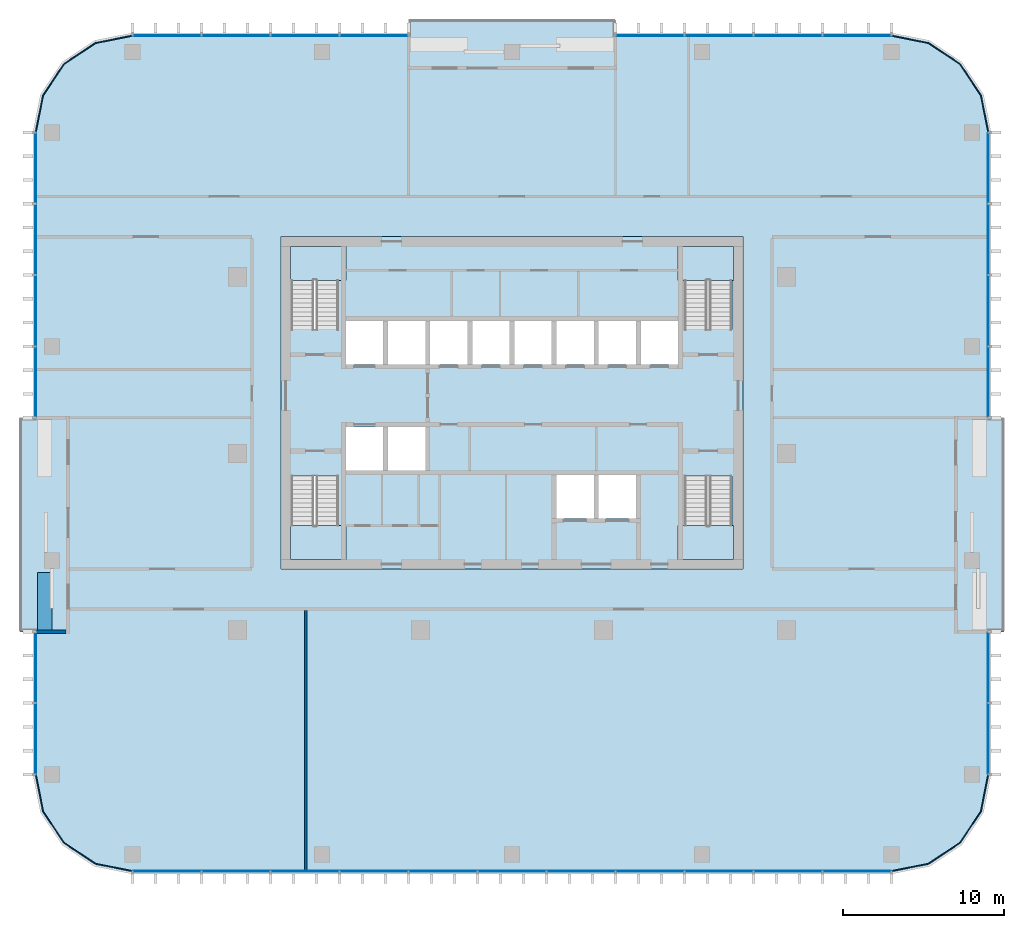
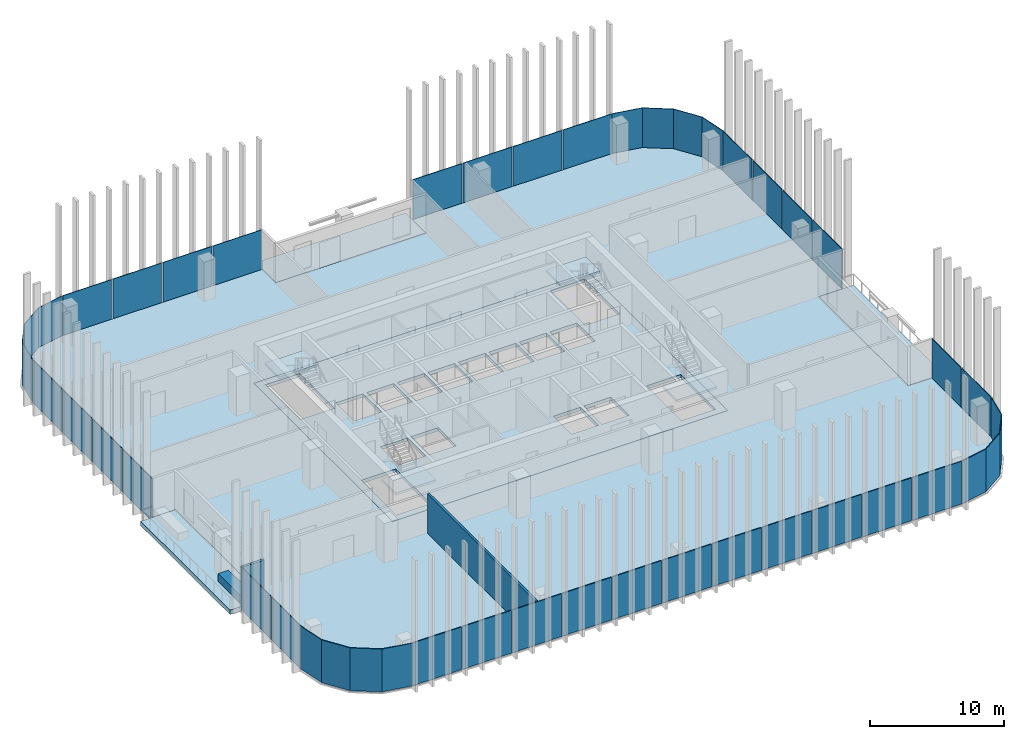
# One storey, part 6 of 16: 35 plates, 9 slabs, 3 walls, 15 elements without a shape of their own.
"""IFC4 building model written with IfcOpenShell, lengths in metres."""

from ifc_helpers import new_model, si_unit, direction, frame, frame_2d, origin, origin_2d, place, context, subcontext, project, spatial, polyline, rectangle, outline, extrude, material, layer, layer_set, type_object, element, aggregate, save


model = new_model("IFC4")

# Units and contexts
model_context = context("Model", 3, precision=1e-05, world=origin(), true_north=direction((0.0, 1.0)))
body_context = subcontext(model_context, "Body", "Model", "MODEL_VIEW")
ifc_project = project(units=[si_unit("LENGTHUNIT", "METRE"), si_unit("AREAUNIT", "SQUARE_METRE"), si_unit("VOLUMEUNIT", "CUBIC_METRE"), si_unit("PLANEANGLEUNIT", "RADIAN"), si_unit("MASSUNIT", "GRAM", prefix="KILO")], contexts=[model_context])

# Site, building, storey
site_placement = place(None, origin())
site = spatial("IfcSite", under=ifc_project, at=site_placement, CompositionType="ELEMENT")
building_placement = place(site_placement, origin())
building = spatial("IfcBuilding", under=site, at=building_placement, Name="Mopane Tessera Tower", CompositionType="ELEMENT")
storey_placement = place(building_placement, frame((0.0, 0.0, 279.39990234375)))
storey = spatial("IfcBuildingStorey", under=building, at=storey_placement, Name="L60", CompositionType="ELEMENT", Elevation=279.39990234375)

# Slab
ifc_material_1 = material(Name="Concrete C40/50", Category="concrete")
ifc_layer_1 = layer(ifc_material_1, 0.300048828125)
ifc_layer_set_1 = layer_set([ifc_layer_1], Name="Concrete C40/50")
slab_type_1 = type_object("IfcSlabType", Name="Core floor slab 300 mm", PredefinedType="FLOOR", material=ifc_layer_set_1)
slab_1_placement = place(storey_placement, frame((0.0, 0.0, -0.2998046875)))
element("IfcSlab", 1, at=slab_1_placement, inside=storey, type_object=slab_type_1, Name="L60 core floor slab", PredefinedType="FLOOR", context=body_context, shape_type="SweptSolid", body=[
    extrude(outline(polyline([(-14.39990234375, -7.199951171875), (14.39990234375, -7.199951171875), (14.39990234375, 13.5), (-14.39990234375, 13.5), (-14.39990234375, -7.199951171875)]), holes=[polyline([(-10.35009765625, -1.050048828125), (-8.02490234375, -1.050048828125), (-8.02490234375, 1.64990234375), (-10.35009765625, 1.64990234375), (-10.35009765625, -1.050048828125)]), polyline([(-7.72509765625, -1.050048828125), (-5.39990234375, -1.050048828125), (-5.39990234375, 1.64990234375), (-7.72509765625, 1.64990234375), (-7.72509765625, -1.050048828125)]), polyline([(-10.35009765625, 5.550048828125), (-8.02490234375, 5.550048828125), (-8.02490234375, 8.25), (-10.35009765625, 8.25), (-10.35009765625, 5.550048828125)]), polyline([(-7.72509765625, 5.550048828125), (-5.39990234375, 5.550048828125), (-5.39990234375, 8.25), (-7.72509765625, 8.25), (-7.72509765625, 5.550048828125)]), polyline([(-5.10009765625, 5.550048828125), (-2.77490234375, 5.550048828125), (-2.77490234375, 8.25), (-5.10009765625, 8.25), (-5.10009765625, 5.550048828125)]), polyline([(-2.47509765625, 5.550048828125), (-0.14990234375, 5.550048828125), (-0.14990234375, 8.25), (-2.47509765625, 8.25), (-2.47509765625, 5.550048828125)]), polyline([(0.14990234375, 5.550048828125), (2.47509765625, 5.550048828125), (2.47509765625, 8.25), (0.14990234375, 8.25), (0.14990234375, 5.550048828125)]), polyline([(2.77490234375, 5.550048828125), (5.10009765625, 5.550048828125), (5.10009765625, 8.25), (2.77490234375, 8.25), (2.77490234375, 5.550048828125)]), polyline([(5.39990234375, 5.550048828125), (7.72509765625, 5.550048828125), (7.72509765625, 8.25), (5.39990234375, 8.25), (5.39990234375, 5.550048828125)]), polyline([(8.02490234375, 5.550048828125), (10.35009765625, 5.550048828125), (10.35009765625, 8.25), (8.02490234375, 8.25), (8.02490234375, 5.550048828125)]), polyline([(2.77490234375, -4.050048828125), (5.10009765625, -4.050048828125), (5.10009765625, -1.35009765625), (2.77490234375, -1.35009765625), (2.77490234375, -4.050048828125)]), polyline([(5.39990234375, -4.050048828125), (7.72509765625, -4.050048828125), (7.72509765625, -1.35009765625), (5.39990234375, -1.35009765625), (5.39990234375, -4.050048828125)]), polyline([(-13.75, -1.405029296875), (-13.75, -6.60009765625), (-10.800048828125, -6.60009765625), (-10.800048828125, -1.405029296875), (-13.75, -1.405029296875)]), polyline([(-10.800048828125, 7.705078125), (-10.800048828125, 12.89990234375), (-13.75, 12.89990234375), (-13.75, 7.705078125), (-10.800048828125, 7.705078125)]), polyline([(10.75, -1.405029296875), (10.75, -6.60009765625), (13.699951171875, -6.60009765625), (13.699951171875, -1.405029296875), (10.75, -1.405029296875)]), polyline([(13.699951171875, 7.705078125), (13.699951171875, 12.89990234375), (10.75, 12.89990234375), (10.75, 7.705078125), (13.699951171875, 7.705078125)])]), origin(), (0.0, 0.0, 1.0), 0.2998046875),
])

# Stair, slab
ifc_material_2 = material(Name="Concrete C50/60", Category="concrete")
stair_type = type_object("IfcStairType", Name="Escape stair 1400 mm, riser 167 mm", PredefinedType="HALF_TURN_STAIR", material=ifc_material_2)
stair_1_placement = place(storey_placement, origin())
stair_1 = element("IfcStair", 2, at=stair_1_placement, inside=storey, type_object=stair_type, Name="L60 Escape stair south-west", PredefinedType="HALF_TURN_STAIR")
ifc_material_3 = material(Name="Concrete C50/60", Category="concrete")
ifc_layer_2 = layer(ifc_material_3, 0.199951171875)
ifc_layer_set_2 = layer_set([ifc_layer_2], Name="Concrete C50/60")
slab_type_2 = type_object("IfcSlabType", Name="Escape stair landing 200 mm", PredefinedType="LANDING", material=ifc_layer_set_2)
slab_2_placement = place(storey_placement, frame((0.0, 0.0, 1.800048828125)))
slab_2 = element("IfcSlab", 3, at=slab_2_placement, type_object=slab_type_2, Name="ST1 landing 1", PredefinedType="LANDING", context=body_context, shape_type="SweptSolid", body=[
    extrude(outline(polyline([(-13.800048828125, -4.47998046875), (-13.800048828125, -6.60009765625), (-10.35009765625, -6.60009765625), (-10.35009765625, -4.47998046875), (-13.800048828125, -4.47998046875)])), origin(), (0.0, 0.0, 1.0), 0.199951171875),
])
aggregate(stair_1, [slab_2])

stair_2_placement = place(storey_placement, origin())
stair_2 = element("IfcStair", 4, at=stair_2_placement, inside=storey, type_object=stair_type, Name="L60 Escape stair north-west", PredefinedType="HALF_TURN_STAIR")
slab_3_placement = place(storey_placement, frame((0.0, 0.0, 1.800048828125)))
slab_3 = element("IfcSlab", 5, at=slab_3_placement, type_object=slab_type_2, Name="ST2 landing 1", PredefinedType="LANDING", context=body_context, shape_type="SweptSolid", body=[
    extrude(outline(polyline([(-10.35009765625, 10.780029296875), (-10.35009765625, 12.89990234375), (-13.800048828125, 12.89990234375), (-13.800048828125, 10.780029296875), (-10.35009765625, 10.780029296875)])), origin(), (0.0, 0.0, 1.0), 0.199951171875),
])
aggregate(stair_2, [slab_3])

stair_3_placement = place(storey_placement, origin())
stair_3 = element("IfcStair", 6, at=stair_3_placement, inside=storey, type_object=stair_type, Name="L60 Escape stair south-east", PredefinedType="HALF_TURN_STAIR")
slab_4_placement = place(storey_placement, frame((0.0, 0.0, 1.800048828125)))
slab_4 = element("IfcSlab", 7, at=slab_4_placement, type_object=slab_type_2, Name="ST3 landing 1", PredefinedType="LANDING", context=body_context, shape_type="SweptSolid", body=[
    extrude(outline(polyline([(10.35009765625, -4.47998046875), (10.35009765625, -6.60009765625), (13.800048828125, -6.60009765625), (13.800048828125, -4.47998046875), (10.35009765625, -4.47998046875)])), origin(), (0.0, 0.0, 1.0), 0.199951171875),
])
aggregate(stair_3, [slab_4])

stair_4_placement = place(storey_placement, origin())
stair_4 = element("IfcStair", 8, at=stair_4_placement, inside=storey, type_object=stair_type, Name="L60 Escape stair north-east", PredefinedType="HALF_TURN_STAIR")
slab_5_placement = place(storey_placement, frame((0.0, 0.0, 1.800048828125)))
slab_5 = element("IfcSlab", 9, at=slab_5_placement, type_object=slab_type_2, Name="ST4 landing 1", PredefinedType="LANDING", context=body_context, shape_type="SweptSolid", body=[
    extrude(outline(polyline([(13.800048828125, 10.780029296875), (13.800048828125, 12.89990234375), (10.35009765625, 12.89990234375), (10.35009765625, 10.780029296875), (13.800048828125, 10.780029296875)])), origin(), (0.0, 0.0, 1.0), 0.199951171875),
])
aggregate(stair_4, [slab_5])

# Slabs
ifc_material_4 = material(Name="Concrete C40/50", Category="concrete")
ifc_layer_3 = layer(ifc_material_4, 0.39990234375)
ifc_layer_set_3 = layer_set([ifc_layer_3], Name="Concrete C40/50")
slab_type_3 = type_object("IfcSlabType", Name="Planted terrace slab 400 mm", PredefinedType="FLOOR", material=ifc_layer_set_3)
slab_6_placement = place(storey_placement, frame((0.0, 0.0, -0.39990234375)))
element("IfcSlab", 10, at=slab_6_placement, inside=storey, type_object=slab_type_3, Name="Terrace slab N1 L60", PredefinedType="FLOOR", context=body_context, shape_type="SweptSolid", body=[
    extrude(outline(polyline([(30.64990234375, 2.22216796875), (27.64990234375, 2.22216796875), (27.64990234375, -11.111083984375), (30.64990234375, -11.111083984375), (30.64990234375, 2.22216796875)])), origin(), (0.0, 0.0, 1.0), 0.39990234375),
])
slab_7_placement = place(storey_placement, frame((0.0, 0.0, -0.39990234375)))
element("IfcSlab", 11, at=slab_7_placement, inside=storey, type_object=slab_type_3, Name="Terrace slab N2 L60", PredefinedType="FLOOR", context=body_context, shape_type="SweptSolid", body=[
    extrude(outline(polyline([(-6.449951171875, 27.0), (-6.449951171875, 24.0), (6.449951171875, 24.0), (6.449951171875, 27.0), (-6.449951171875, 27.0)])), origin(), (0.0, 0.0, 1.0), 0.39990234375),
])
slab_8_placement = place(storey_placement, frame((0.0, 0.0, -0.39990234375)))
element("IfcSlab", 12, at=slab_8_placement, inside=storey, type_object=slab_type_3, Name="Terrace slab N3 L60", PredefinedType="FLOOR", context=body_context, shape_type="SweptSolid", body=[
    extrude(outline(polyline([(-30.64990234375, -11.111083984375), (-27.64990234375, -11.111083984375), (-27.64990234375, 2.22216796875), (-30.64990234375, 2.22216796875), (-30.64990234375, -11.111083984375)])), origin(), (0.0, 0.0, 1.0), 0.39990234375),
])
ifc_material_5 = material(Name="Concrete C40/50", Category="concrete")
ifc_layer_4 = layer(ifc_material_5, 0.39990234375)
ifc_layer_set_4 = layer_set([ifc_layer_4], Name="Concrete C40/50")
slab_type_4 = type_object("IfcSlabType", Name="Post-tensioned flat plate 400 mm", PredefinedType="FLOOR", material=ifc_layer_set_4)
slab_9_placement = place(storey_placement, frame((0.0, 0.0, -0.39990234375)))
element("IfcSlab", 13, at=slab_9_placement, inside=storey, type_object=slab_type_4, Name="Floor slab L60", PredefinedType="FLOOR", context=body_context, shape_type="SweptSolid", body=[
    extrude(outline(polyline([(29.64990234375, -20.0), (29.64990234375, -11.111083984375), (27.64990234375, -11.111083984375), (27.64990234375, 2.22216796875), (29.64990234375, 2.22216796875), (29.64990234375, 20.0), (29.193359375, 22.296142578125), (27.892578125, 24.24267578125), (25.946044921875, 25.543212890625), (23.64990234375, 26.0), (6.449951171875, 26.0), (6.449951171875, 24.0), (-6.449951171875, 24.0), (-6.449951171875, 26.0), (-23.64990234375, 26.0), (-25.946044921875, 25.543212890625), (-27.892578125, 24.24267578125), (-29.193359375, 22.296142578125), (-29.64990234375, 20.0), (-29.64990234375, 2.22216796875), (-27.64990234375, 2.22216796875), (-27.64990234375, -11.111083984375), (-29.64990234375, -11.111083984375), (-29.64990234375, -20.0), (-29.193359375, -22.296142578125), (-27.892578125, -24.24267578125), (-25.946044921875, -25.543212890625), (-23.64990234375, -26.0), (23.64990234375, -26.0), (25.946044921875, -25.543212890625), (27.892578125, -24.24267578125), (29.193359375, -22.296142578125), (29.64990234375, -20.0)]), holes=[polyline([(14.39990234375, -7.199951171875), (-14.39990234375, -7.199951171875), (-14.39990234375, 13.5), (14.39990234375, 13.5), (14.39990234375, -7.199951171875)])]), origin(), (0.0, 0.0, 1.0), 0.39990234375),
])

# Curtain wall, plates
ifc_material_6 = material(Name="Aluminium frame", Category="aluminium")
curtain_wall_type = type_object("IfcCurtainWallType", Name="Unitised curtain wall", PredefinedType="NOTDEFINED", material=ifc_material_6)
curtain_wall_1_placement = place(storey_placement, origin())
curtain_wall_1 = element("IfcCurtainWall", 14, at=curtain_wall_1_placement, inside=storey, type_object=curtain_wall_type, Name="e:cw:L60:S:0", PredefinedType="NOTDEFINED")
ifc_material_7 = material(Name="Clear laminated glass", Category="glass")
ifc_layer_5 = layer(ifc_material_7, 0.06005859375)
ifc_layer_set_5 = layer_set([ifc_layer_5], Name="Clear laminated glass")
plate_type = type_object("IfcPlateType", Name="Unitised glazed unit", PredefinedType="CURTAIN_PANEL", material=ifc_layer_set_5)
plate_1_placement = place(storey_placement, frame((-21.5, -26.030029296875, -0.27978515625), z_axis=(0.0, 0.0, 1.0), x_axis=(1.0, 0.0, 0.0)))
plate_1 = element("IfcPlate", 15, at=plate_1_placement, type_object=plate_type, Name="e:cw:L60:S:0:pn0", PredefinedType="CURTAIN_PANEL", context=body_context, shape_type="SweptSolid", body=[
    extrude(rectangle(XDim=4.199951171875, YDim=0.06005859375, at=origin_2d()), origin(), (0.0, 0.0, 1.0), 3.8798828125),
])
plate_2_placement = place(storey_placement, frame((-17.199951171875, -26.030029296875, -0.27978515625), z_axis=(0.0, 0.0, 1.0), x_axis=(1.0, 0.0, 0.0)))
plate_2 = element("IfcPlate", 16, at=plate_2_placement, type_object=plate_type, Name="e:cw:L60:S:0:pn1", PredefinedType="CURTAIN_PANEL", context=body_context, shape_type="SweptSolid", body=[
    extrude(rectangle(XDim=4.199951171875, YDim=0.06005859375, at=origin_2d()), origin(), (0.0, 0.0, 1.0), 3.8798828125),
])
plate_3_placement = place(storey_placement, frame((-12.89990234375, -26.030029296875, -0.27978515625), z_axis=(0.0, 0.0, 1.0), x_axis=(1.0, 0.0, 0.0)))
plate_3 = element("IfcPlate", 17, at=plate_3_placement, type_object=plate_type, Name="e:cw:L60:S:0:pn2", PredefinedType="CURTAIN_PANEL", context=body_context, shape_type="SweptSolid", body=[
    extrude(rectangle(XDim=4.199951171875, YDim=0.06005859375, at=origin_2d()), origin(), (0.0, 0.0, 1.0), 3.8798828125),
])
plate_4_placement = place(storey_placement, frame((-8.60009765625, -26.030029296875, -0.27978515625), z_axis=(0.0, 0.0, 1.0), x_axis=(1.0, 0.0, 0.0)))
plate_4 = element("IfcPlate", 18, at=plate_4_placement, type_object=plate_type, Name="e:cw:L60:S:0:pn3", PredefinedType="CURTAIN_PANEL", context=body_context, shape_type="SweptSolid", body=[
    extrude(rectangle(XDim=4.199951171875, YDim=0.06005859375, at=origin_2d()), origin(), (0.0, 0.0, 1.0), 3.8798828125),
])
plate_5_placement = place(storey_placement, frame((-4.300048828125, -26.030029296875, -0.27978515625), z_axis=(0.0, 0.0, 1.0), x_axis=(1.0, 0.0, 0.0)))
plate_5 = element("IfcPlate", 19, at=plate_5_placement, type_object=plate_type, Name="e:cw:L60:S:0:pn4", PredefinedType="CURTAIN_PANEL", context=body_context, shape_type="SweptSolid", body=[
    extrude(rectangle(XDim=4.199951171875, YDim=0.06005859375, at=origin_2d()), origin(), (0.0, 0.0, 1.0), 3.8798828125),
])
plate_6_placement = place(storey_placement, frame((0.0, -26.030029296875, -0.27978515625), z_axis=(0.0, 0.0, 1.0), x_axis=(1.0, 0.0, 0.0)))
plate_6 = element("IfcPlate", 20, at=plate_6_placement, type_object=plate_type, Name="e:cw:L60:S:0:pn5", PredefinedType="CURTAIN_PANEL", context=body_context, shape_type="SweptSolid", body=[
    extrude(rectangle(XDim=4.199951171875, YDim=0.06005859375, at=origin_2d()), origin(), (0.0, 0.0, 1.0), 3.8798828125),
])
plate_7_placement = place(storey_placement, frame((4.300048828125, -26.030029296875, -0.27978515625), z_axis=(0.0, 0.0, 1.0), x_axis=(1.0, 0.0, 0.0)))
plate_7 = element("IfcPlate", 21, at=plate_7_placement, type_object=plate_type, Name="e:cw:L60:S:0:pn6", PredefinedType="CURTAIN_PANEL", context=body_context, shape_type="SweptSolid", body=[
    extrude(rectangle(XDim=4.199951171875, YDim=0.06005859375, at=origin_2d()), origin(), (0.0, 0.0, 1.0), 3.8798828125),
])
plate_8_placement = place(storey_placement, frame((8.60009765625, -26.030029296875, -0.27978515625), z_axis=(0.0, 0.0, 1.0), x_axis=(1.0, 0.0, 0.0)))
plate_8 = element("IfcPlate", 22, at=plate_8_placement, type_object=plate_type, Name="e:cw:L60:S:0:pn7", PredefinedType="CURTAIN_PANEL", context=body_context, shape_type="SweptSolid", body=[
    extrude(rectangle(XDim=4.199951171875, YDim=0.06005859375, at=origin_2d()), origin(), (0.0, 0.0, 1.0), 3.8798828125),
])
plate_9_placement = place(storey_placement, frame((12.89990234375, -26.030029296875, -0.27978515625), z_axis=(0.0, 0.0, 1.0), x_axis=(1.0, 0.0, 0.0)))
plate_9 = element("IfcPlate", 23, at=plate_9_placement, type_object=plate_type, Name="e:cw:L60:S:0:pn8", PredefinedType="CURTAIN_PANEL", context=body_context, shape_type="SweptSolid", body=[
    extrude(rectangle(XDim=4.199951171875, YDim=0.06005859375, at=origin_2d()), origin(), (0.0, 0.0, 1.0), 3.8798828125),
])
plate_10_placement = place(storey_placement, frame((17.199951171875, -26.030029296875, -0.27978515625), z_axis=(0.0, 0.0, 1.0), x_axis=(1.0, 0.0, 0.0)))
plate_10 = element("IfcPlate", 24, at=plate_10_placement, type_object=plate_type, Name="e:cw:L60:S:0:pn9", PredefinedType="CURTAIN_PANEL", context=body_context, shape_type="SweptSolid", body=[
    extrude(rectangle(XDim=4.199951171875, YDim=0.06005859375, at=origin_2d()), origin(), (0.0, 0.0, 1.0), 3.8798828125),
])
plate_11_placement = place(storey_placement, frame((21.5, -26.030029296875, -0.27978515625), z_axis=(0.0, 0.0, 1.0), x_axis=(1.0, 0.0, 0.0)))
plate_11 = element("IfcPlate", 25, at=plate_11_placement, type_object=plate_type, Name="e:cw:L60:S:0:pn10", PredefinedType="CURTAIN_PANEL", context=body_context, shape_type="SweptSolid", body=[
    extrude(rectangle(XDim=4.199951171875, YDim=0.06005859375, at=origin_2d()), origin(), (0.0, 0.0, 1.0), 3.8798828125),
])
aggregate(curtain_wall_1, [plate_1, plate_2, plate_3, plate_4, plate_5, plate_6, plate_7, plate_8, plate_9, plate_10, plate_11])

# Curtain wall, plate
curtain_wall_2_placement = place(storey_placement, origin())
curtain_wall_2 = element("IfcCurtainWall", 26, at=curtain_wall_2_placement, inside=storey, type_object=curtain_wall_type, Name="e:cw:L60:CS", PredefinedType="NOTDEFINED")
plate_12_placement = place(storey_placement, frame((0.0, 0.0, -0.27978515625)))
plate_12 = element("IfcPlate", 27, at=plate_12_placement, type_object=plate_type, Name="e:cw:L60:CS:pn", PredefinedType="CURTAIN_PANEL", context=body_context, shape_type="SweptSolid", body=[
    extrude(outline(polyline([(23.64990234375, -26.0), (25.946044921875, -25.543212890625), (27.892578125, -24.24267578125), (29.193359375, -22.296142578125), (29.64990234375, -20.0), (29.7099609375, -20.0), (29.248779296875, -22.319091796875), (27.93505859375, -24.28515625), (25.968994140625, -25.5986328125), (23.64990234375, -26.06005859375), (23.64990234375, -26.0)])), origin(), (0.0, 0.0, 1.0), 3.8798828125),
])
aggregate(curtain_wall_2, [plate_12])

# Curtain wall, plates
curtain_wall_3_placement = place(storey_placement, origin())
curtain_wall_3 = element("IfcCurtainWall", 28, at=curtain_wall_3_placement, inside=storey, type_object=curtain_wall_type, Name="e:cw:L60:E:0", PredefinedType="NOTDEFINED")
plate_13_placement = place(storey_placement, frame((29.679931640625, -17.77783203125, -0.27978515625), z_axis=(0.0, 0.0, 1.0), x_axis=(0.0, 1.0, 0.0)))
plate_13 = element("IfcPlate", 29, at=plate_13_placement, type_object=plate_type, Name="e:cw:L60:E:0:pn0", PredefinedType="CURTAIN_PANEL", context=body_context, shape_type="SweptSolid", body=[
    extrude(rectangle(XDim=4.344482421875, YDim=0.06005859375, at=origin_2d()), origin(), (0.0, 0.0, 1.0), 3.8798828125),
])
plate_14_placement = place(storey_placement, frame((29.679931640625, -13.333251953125, -0.27978515625), z_axis=(0.0, 0.0, 1.0), x_axis=(0.0, 1.0, 0.0)))
plate_14 = element("IfcPlate", 30, at=plate_14_placement, type_object=plate_type, Name="e:cw:L60:E:0:pn1", PredefinedType="CURTAIN_PANEL", context=body_context, shape_type="SweptSolid", body=[
    extrude(rectangle(XDim=4.344482421875, YDim=0.06005859375, at=origin_2d()), origin(), (0.0, 0.0, 1.0), 3.8798828125),
])
aggregate(curtain_wall_3, [plate_13, plate_14])

curtain_wall_4_placement = place(storey_placement, origin())
curtain_wall_4 = element("IfcCurtainWall", 31, at=curtain_wall_4_placement, inside=storey, type_object=curtain_wall_type, Name="e:cw:L60:E:5", PredefinedType="NOTDEFINED")
plate_15_placement = place(storey_placement, frame((29.679931640625, 4.4443359375, -0.27978515625), z_axis=(0.0, 0.0, 1.0), x_axis=(0.0, 1.0, 0.0)))
plate_15 = element("IfcPlate", 32, at=plate_15_placement, type_object=plate_type, Name="e:cw:L60:E:5:pn5", PredefinedType="CURTAIN_PANEL", context=body_context, shape_type="SweptSolid", body=[
    extrude(rectangle(XDim=4.344482421875, YDim=0.06005859375, at=origin_2d()), origin(), (0.0, 0.0, 1.0), 3.8798828125),
])
plate_16_placement = place(storey_placement, frame((29.679931640625, 8.888916015625, -0.27978515625), z_axis=(0.0, 0.0, 1.0), x_axis=(0.0, 1.0, 0.0)))
plate_16 = element("IfcPlate", 33, at=plate_16_placement, type_object=plate_type, Name="e:cw:L60:E:5:pn6", PredefinedType="CURTAIN_PANEL", context=body_context, shape_type="SweptSolid", body=[
    extrude(rectangle(XDim=4.344482421875, YDim=0.06005859375, at=origin_2d()), origin(), (0.0, 0.0, 1.0), 3.8798828125),
])
plate_17_placement = place(storey_placement, frame((29.679931640625, 13.333251953125, -0.27978515625), z_axis=(0.0, 0.0, 1.0), x_axis=(0.0, 1.0, 0.0)))
plate_17 = element("IfcPlate", 34, at=plate_17_placement, type_object=plate_type, Name="e:cw:L60:E:5:pn7", PredefinedType="CURTAIN_PANEL", context=body_context, shape_type="SweptSolid", body=[
    extrude(rectangle(XDim=4.344482421875, YDim=0.06005859375, at=origin_2d()), origin(), (0.0, 0.0, 1.0), 3.8798828125),
])
plate_18_placement = place(storey_placement, frame((29.679931640625, 17.77783203125, -0.27978515625), z_axis=(0.0, 0.0, 1.0), x_axis=(0.0, 1.0, 0.0)))
plate_18 = element("IfcPlate", 35, at=plate_18_placement, type_object=plate_type, Name="e:cw:L60:E:5:pn8", PredefinedType="CURTAIN_PANEL", context=body_context, shape_type="SweptSolid", body=[
    extrude(rectangle(XDim=4.344482421875, YDim=0.06005859375, at=origin_2d()), origin(), (0.0, 0.0, 1.0), 3.8798828125),
])
aggregate(curtain_wall_4, [plate_15, plate_16, plate_17, plate_18])

# Curtain wall, plate
curtain_wall_5_placement = place(storey_placement, origin())
curtain_wall_5 = element("IfcCurtainWall", 36, at=curtain_wall_5_placement, inside=storey, type_object=curtain_wall_type, Name="e:cw:L60:CE", PredefinedType="NOTDEFINED")
plate_19_placement = place(storey_placement, frame((0.0, 0.0, -0.27978515625)))
plate_19 = element("IfcPlate", 37, at=plate_19_placement, type_object=plate_type, Name="e:cw:L60:CE:pn", PredefinedType="CURTAIN_PANEL", context=body_context, shape_type="SweptSolid", body=[
    extrude(outline(polyline([(29.64990234375, 20.0), (29.193359375, 22.296142578125), (27.892578125, 24.24267578125), (25.946044921875, 25.543212890625), (23.64990234375, 26.0), (23.64990234375, 26.06005859375), (25.968994140625, 25.5986328125), (27.93505859375, 24.28515625), (29.248779296875, 22.319091796875), (29.7099609375, 20.0), (29.64990234375, 20.0)])), origin(), (0.0, 0.0, 1.0), 3.8798828125),
])
aggregate(curtain_wall_5, [plate_19])

# Curtain wall, plates
curtain_wall_6_placement = place(storey_placement, origin())
curtain_wall_6 = element("IfcCurtainWall", 38, at=curtain_wall_6_placement, inside=storey, type_object=curtain_wall_type, Name="e:cw:L60:N:0", PredefinedType="NOTDEFINED")
plate_20_placement = place(storey_placement, frame((21.5, 26.030029296875, -0.27978515625), z_axis=(0.0, 0.0, 1.0), x_axis=(-1.0, 0.0, 0.0)))
plate_20 = element("IfcPlate", 39, at=plate_20_placement, type_object=plate_type, Name="e:cw:L60:N:0:pn0", PredefinedType="CURTAIN_PANEL", context=body_context, shape_type="SweptSolid", body=[
    extrude(rectangle(XDim=4.199951171875, YDim=0.06005859375, at=origin_2d()), origin(), (0.0, 0.0, 1.0), 3.8798828125),
])
plate_21_placement = place(storey_placement, frame((17.199951171875, 26.030029296875, -0.27978515625), z_axis=(0.0, 0.0, 1.0), x_axis=(-1.0, 0.0, 0.0)))
plate_21 = element("IfcPlate", 40, at=plate_21_placement, type_object=plate_type, Name="e:cw:L60:N:0:pn1", PredefinedType="CURTAIN_PANEL", context=body_context, shape_type="SweptSolid", body=[
    extrude(rectangle(XDim=4.199951171875, YDim=0.06005859375, at=origin_2d()), origin(), (0.0, 0.0, 1.0), 3.8798828125),
])
plate_22_placement = place(storey_placement, frame((12.89990234375, 26.030029296875, -0.27978515625), z_axis=(0.0, 0.0, 1.0), x_axis=(-1.0, 0.0, 0.0)))
plate_22 = element("IfcPlate", 41, at=plate_22_placement, type_object=plate_type, Name="e:cw:L60:N:0:pn2", PredefinedType="CURTAIN_PANEL", context=body_context, shape_type="SweptSolid", body=[
    extrude(rectangle(XDim=4.199951171875, YDim=0.06005859375, at=origin_2d()), origin(), (0.0, 0.0, 1.0), 3.8798828125),
])
plate_23_placement = place(storey_placement, frame((8.60009765625, 26.030029296875, -0.27978515625), z_axis=(0.0, 0.0, 1.0), x_axis=(-1.0, 0.0, 0.0)))
plate_23 = element("IfcPlate", 42, at=plate_23_placement, type_object=plate_type, Name="e:cw:L60:N:0:pn3", PredefinedType="CURTAIN_PANEL", context=body_context, shape_type="SweptSolid", body=[
    extrude(rectangle(XDim=4.199951171875, YDim=0.06005859375, at=origin_2d()), origin(), (0.0, 0.0, 1.0), 3.8798828125),
])
aggregate(curtain_wall_6, [plate_20, plate_21, plate_22, plate_23])

curtain_wall_7_placement = place(storey_placement, origin())
curtain_wall_7 = element("IfcCurtainWall", 43, at=curtain_wall_7_placement, inside=storey, type_object=curtain_wall_type, Name="e:cw:L60:N:7", PredefinedType="NOTDEFINED")
plate_24_placement = place(storey_placement, frame((-8.60009765625, 26.030029296875, -0.27978515625), z_axis=(0.0, 0.0, 1.0), x_axis=(-1.0, 0.0, 0.0)))
plate_24 = element("IfcPlate", 44, at=plate_24_placement, type_object=plate_type, Name="e:cw:L60:N:7:pn7", PredefinedType="CURTAIN_PANEL", context=body_context, shape_type="SweptSolid", body=[
    extrude(rectangle(XDim=4.199951171875, YDim=0.06005859375, at=origin_2d()), origin(), (0.0, 0.0, 1.0), 3.8798828125),
])
plate_25_placement = place(storey_placement, frame((-12.89990234375, 26.030029296875, -0.27978515625), z_axis=(0.0, 0.0, 1.0), x_axis=(-1.0, 0.0, 0.0)))
plate_25 = element("IfcPlate", 45, at=plate_25_placement, type_object=plate_type, Name="e:cw:L60:N:7:pn8", PredefinedType="CURTAIN_PANEL", context=body_context, shape_type="SweptSolid", body=[
    extrude(rectangle(XDim=4.199951171875, YDim=0.06005859375, at=origin_2d()), origin(), (0.0, 0.0, 1.0), 3.8798828125),
])
plate_26_placement = place(storey_placement, frame((-17.199951171875, 26.030029296875, -0.27978515625), z_axis=(0.0, 0.0, 1.0), x_axis=(-1.0, 0.0, 0.0)))
plate_26 = element("IfcPlate", 46, at=plate_26_placement, type_object=plate_type, Name="e:cw:L60:N:7:pn9", PredefinedType="CURTAIN_PANEL", context=body_context, shape_type="SweptSolid", body=[
    extrude(rectangle(XDim=4.199951171875, YDim=0.06005859375, at=origin_2d()), origin(), (0.0, 0.0, 1.0), 3.8798828125),
])
plate_27_placement = place(storey_placement, frame((-21.5, 26.030029296875, -0.27978515625), z_axis=(0.0, 0.0, 1.0), x_axis=(-1.0, 0.0, 0.0)))
plate_27 = element("IfcPlate", 47, at=plate_27_placement, type_object=plate_type, Name="e:cw:L60:N:7:pn10", PredefinedType="CURTAIN_PANEL", context=body_context, shape_type="SweptSolid", body=[
    extrude(rectangle(XDim=4.199951171875, YDim=0.06005859375, at=origin_2d()), origin(), (0.0, 0.0, 1.0), 3.8798828125),
])
aggregate(curtain_wall_7, [plate_24, plate_25, plate_26, plate_27])

# Curtain wall, plate
curtain_wall_8_placement = place(storey_placement, origin())
curtain_wall_8 = element("IfcCurtainWall", 48, at=curtain_wall_8_placement, inside=storey, type_object=curtain_wall_type, Name="e:cw:L60:CN", PredefinedType="NOTDEFINED")
plate_28_placement = place(storey_placement, frame((0.0, 0.0, -0.27978515625)))
plate_28 = element("IfcPlate", 49, at=plate_28_placement, type_object=plate_type, Name="e:cw:L60:CN:pn", PredefinedType="CURTAIN_PANEL", context=body_context, shape_type="SweptSolid", body=[
    extrude(outline(polyline([(-23.64990234375, 26.0), (-25.946044921875, 25.543212890625), (-27.892578125, 24.24267578125), (-29.193359375, 22.296142578125), (-29.64990234375, 20.0), (-29.7099609375, 20.0), (-29.248779296875, 22.319091796875), (-27.93505859375, 24.28515625), (-25.968994140625, 25.5986328125), (-23.64990234375, 26.06005859375), (-23.64990234375, 26.0)])), origin(), (0.0, 0.0, 1.0), 3.8798828125),
])
aggregate(curtain_wall_8, [plate_28])

# Curtain wall, plates
curtain_wall_9_placement = place(storey_placement, origin())
curtain_wall_9 = element("IfcCurtainWall", 50, at=curtain_wall_9_placement, inside=storey, type_object=curtain_wall_type, Name="e:cw:L60:W:0", PredefinedType="NOTDEFINED")
plate_29_placement = place(storey_placement, frame((-29.679931640625, 17.77783203125, -0.27978515625), z_axis=(0.0, 0.0, 1.0), x_axis=(0.0, -1.0, 0.0)))
plate_29 = element("IfcPlate", 51, at=plate_29_placement, type_object=plate_type, Name="e:cw:L60:W:0:pn0", PredefinedType="CURTAIN_PANEL", context=body_context, shape_type="SweptSolid", body=[
    extrude(rectangle(XDim=4.344482421875, YDim=0.06005859375, at=origin_2d()), origin(), (0.0, 0.0, 1.0), 3.8798828125),
])
plate_30_placement = place(storey_placement, frame((-29.679931640625, 13.333251953125, -0.27978515625), z_axis=(0.0, 0.0, 1.0), x_axis=(0.0, -1.0, 0.0)))
plate_30 = element("IfcPlate", 52, at=plate_30_placement, type_object=plate_type, Name="e:cw:L60:W:0:pn1", PredefinedType="CURTAIN_PANEL", context=body_context, shape_type="SweptSolid", body=[
    extrude(rectangle(XDim=4.344482421875, YDim=0.06005859375, at=origin_2d()), origin(), (0.0, 0.0, 1.0), 3.8798828125),
])
plate_31_placement = place(storey_placement, frame((-29.679931640625, 8.888916015625, -0.27978515625), z_axis=(0.0, 0.0, 1.0), x_axis=(0.0, -1.0, 0.0)))
plate_31 = element("IfcPlate", 53, at=plate_31_placement, type_object=plate_type, Name="e:cw:L60:W:0:pn2", PredefinedType="CURTAIN_PANEL", context=body_context, shape_type="SweptSolid", body=[
    extrude(rectangle(XDim=4.344482421875, YDim=0.06005859375, at=origin_2d()), origin(), (0.0, 0.0, 1.0), 3.8798828125),
])
plate_32_placement = place(storey_placement, frame((-29.679931640625, 4.4443359375, -0.27978515625), z_axis=(0.0, 0.0, 1.0), x_axis=(0.0, -1.0, 0.0)))
plate_32 = element("IfcPlate", 54, at=plate_32_placement, type_object=plate_type, Name="e:cw:L60:W:0:pn3", PredefinedType="CURTAIN_PANEL", context=body_context, shape_type="SweptSolid", body=[
    extrude(rectangle(XDim=4.344482421875, YDim=0.06005859375, at=origin_2d()), origin(), (0.0, 0.0, 1.0), 3.8798828125),
])
aggregate(curtain_wall_9, [plate_29, plate_30, plate_31, plate_32])

curtain_wall_10_placement = place(storey_placement, origin())
curtain_wall_10 = element("IfcCurtainWall", 55, at=curtain_wall_10_placement, inside=storey, type_object=curtain_wall_type, Name="e:cw:L60:W:7", PredefinedType="NOTDEFINED")
plate_33_placement = place(storey_placement, frame((-29.679931640625, -13.333251953125, -0.27978515625), z_axis=(0.0, 0.0, 1.0), x_axis=(0.0, -1.0, 0.0)))
plate_33 = element("IfcPlate", 56, at=plate_33_placement, type_object=plate_type, Name="e:cw:L60:W:7:pn7", PredefinedType="CURTAIN_PANEL", context=body_context, shape_type="SweptSolid", body=[
    extrude(rectangle(XDim=4.344482421875, YDim=0.06005859375, at=origin_2d()), origin(), (0.0, 0.0, 1.0), 3.8798828125),
])
plate_34_placement = place(storey_placement, frame((-29.679931640625, -17.77783203125, -0.27978515625), z_axis=(0.0, 0.0, 1.0), x_axis=(0.0, -1.0, 0.0)))
plate_34 = element("IfcPlate", 57, at=plate_34_placement, type_object=plate_type, Name="e:cw:L60:W:7:pn8", PredefinedType="CURTAIN_PANEL", context=body_context, shape_type="SweptSolid", body=[
    extrude(rectangle(XDim=4.344482421875, YDim=0.06005859375, at=origin_2d()), origin(), (0.0, 0.0, 1.0), 3.8798828125),
])
aggregate(curtain_wall_10, [plate_33, plate_34])

# Curtain wall, plate
curtain_wall_11_placement = place(storey_placement, origin())
curtain_wall_11 = element("IfcCurtainWall", 58, at=curtain_wall_11_placement, inside=storey, type_object=curtain_wall_type, Name="e:cw:L60:CW", PredefinedType="NOTDEFINED")
plate_35_placement = place(storey_placement, frame((0.0, 0.0, -0.27978515625)))
plate_35 = element("IfcPlate", 59, at=plate_35_placement, type_object=plate_type, Name="e:cw:L60:CW:pn", PredefinedType="CURTAIN_PANEL", context=body_context, shape_type="SweptSolid", body=[
    extrude(outline(polyline([(-29.64990234375, -20.0), (-29.193359375, -22.296142578125), (-27.892578125, -24.24267578125), (-25.946044921875, -25.543212890625), (-23.64990234375, -26.0), (-23.64990234375, -26.06005859375), (-25.968994140625, -25.5986328125), (-27.93505859375, -24.28515625), (-29.248779296875, -22.319091796875), (-29.7099609375, -20.0), (-29.64990234375, -20.0)])), origin(), (0.0, 0.0, 1.0), 3.8798828125),
])
aggregate(curtain_wall_11, [plate_35])

# Walls
ifc_material_8 = material(Name="Gypsum board on staggered steel studs, double layer each face, acoustic mineral wool infill", Category="steel")
ifc_layer_6 = layer(ifc_material_8, 0.175048828125)
ifc_layer_set_6 = layer_set([ifc_layer_6], Name="Gypsum board on staggered steel studs, double layer each face, acoustic mineral wool infill")
wall_type_1 = type_object("IfcWallType", Name="Gypsum board acoustic partition 175, rated EI 60", PredefinedType="PARTITIONING", material=ifc_layer_set_6)
wall_1_placement = place(storey_placement, frame((-12.85009765625, -25.949951171875, 0.0), z_axis=(0.0, 0.0, 1.0), x_axis=(0.0, 1.0, 0.0)))
element("IfcWall", 60, at=wall_1_placement, inside=storey, type_object=wall_type_1, Name="Partition L60:011", PredefinedType="PARTITIONING", context=body_context, shape_type="SweptSolid", body=[
    extrude(rectangle(XDim=16.14990234375, YDim=0.175048828125, at=frame_2d((8.074951171875, 0.0))), origin(), (0.0, 0.0, 1.0), 3.60009765625),
])
ifc_material_9 = material(Name="Reinforced concrete C32/40 with waterproofing", Category="concrete")
ifc_layer_7 = layer(ifc_material_9, 0.89990234375)
ifc_layer_set_7 = layer_set([ifc_layer_7], Name="Reinforced concrete C32/40 with waterproofing")
wall_type_2 = type_object("IfcWallType", Name="Planter trough 3600 x 900", PredefinedType="STANDARD", material=ifc_layer_set_7)
wall_2_placement = place(storey_placement, frame((-29.10009765625, -7.4111328125, 0.0), z_axis=(0.0, 0.0, 1.0), x_axis=(0.0, -1.0, 0.0)))
element("IfcWall", 61, at=wall_2_placement, inside=storey, type_object=wall_type_2, Name="e:nw:L60:N3:pl1", PredefinedType="STANDARD", context=body_context, shape_type="SweptSolid", body=[
    extrude(rectangle(XDim=3.60009765625, YDim=0.89990234375, at=frame_2d((1.800048828125, 0.0))), origin(), (0.0, 0.0, 1.0), 0.7001953125),
])
ifc_material_10 = material(Name="Blockwork with glazed tile facing", Category="masonry")
ifc_layer_8 = layer(ifc_material_10, 0.199951171875)
ifc_layer_set_8 = layer_set([ifc_layer_8], Name="Blockwork with glazed tile facing")
wall_type_3 = type_object("IfcWallType", Name="Terrace cheek wall 200", PredefinedType="STANDARD", material=ifc_layer_set_8)
wall_3_placement = place(storey_placement, frame((-29.64990234375, -11.111083984375, 0.0), z_axis=(0.0, 0.0, 1.0), x_axis=(1.0, 0.0, 0.0)))
element("IfcWall", 62, at=wall_3_placement, inside=storey, type_object=wall_type_3, Name="e:nw:L60:N3:cheekb", PredefinedType="STANDARD", context=body_context, shape_type="SweptSolid", body=[
    extrude(rectangle(XDim=1.875, YDim=0.199951171875, at=frame_2d((0.9375, 0.0))), origin(), (0.0, 0.0, 1.0), 3.60009765625),
])

save(model, "model.ifc")
